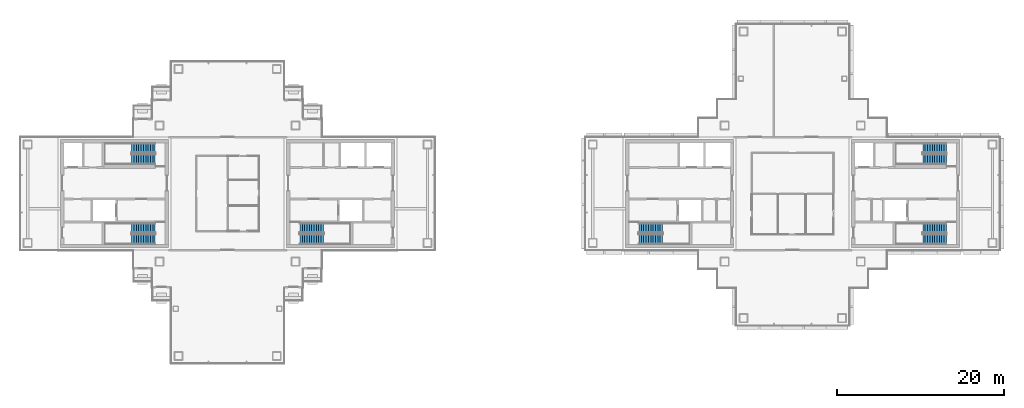
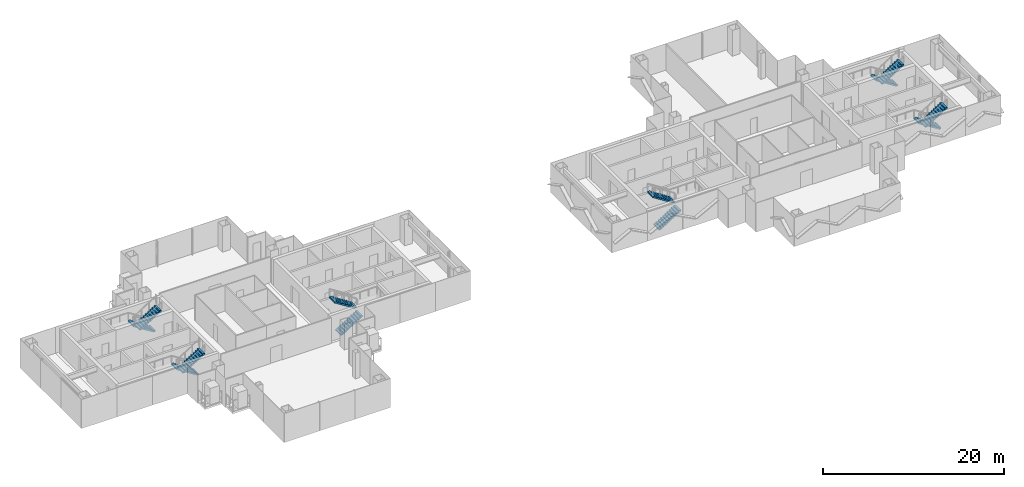
# One storey, part 13 of 17: 12 stair flights, 6 elements without a shape of their own.
"""IFC4 building model written with IfcOpenShell, lengths in metres."""

from ifc_helpers import new_model, si_unit, direction, frame, origin, place, context, subcontext, project, spatial, polyline, outline, extrude, material, type_object, element, aggregate, save


model = new_model("IFC4")

# Units and contexts
model_context = context("Model", 3, precision=1e-05, world=origin(), true_north=direction((0.0, 1.0)))
body_context = subcontext(model_context, "Body", "Model", "MODEL_VIEW")
ifc_project = project(units=[si_unit("LENGTHUNIT", "METRE"), si_unit("AREAUNIT", "SQUARE_METRE"), si_unit("VOLUMEUNIT", "CUBIC_METRE"), si_unit("PLANEANGLEUNIT", "RADIAN"), si_unit("MASSUNIT", "GRAM", prefix="KILO")], contexts=[model_context])

# Site, building, storey
site_placement = place(None, origin())
site = spatial("IfcSite", under=ifc_project, at=site_placement, CompositionType="ELEMENT")
building_placement = place(site_placement, origin())
building = spatial("IfcBuilding", under=site, at=building_placement, Name="Shamsa Quay Exchange Towers", CompositionType="ELEMENT")
storey_placement = place(building_placement, frame((0.0, 0.0, 221.699951171875)))
storey = spatial("IfcBuildingStorey", under=building, at=storey_placement, Name="L53", CompositionType="ELEMENT", Elevation=221.699951171875)

# Stair, stair flights
ifc_material = material(Name="Concrete C40/50", Category="concrete")
stair_type = type_object("IfcStairType", Name="EXIT STAIR 22 RISERS 177 MM", PredefinedType="HALF_TURN_STAIR", material=ifc_material)
stair_1_placement = place(storey_placement, origin())
stair_1 = element("IfcStair", 1, at=stair_1_placement, inside=storey, type_object=stair_type, Name="L53 Exit stair ST1", PredefinedType="HALF_TURN_STAIR")
stair_flight_type = type_object("IfcStairFlightType", Name="EXIT STAIR FLIGHT 11 RISERS 177 MM", PredefinedType="STRAIGHT", material=ifc_material)
stair_flight_1_placement = place(storey_placement, frame((-25.10009765625, -5.449951171875, 0.0)))
stair_flight_1 = element("IfcStairFlight", 2, at=stair_flight_1_placement, type_object=stair_flight_type, Name="ST1 flight 1", NumberOfRisers=11, NumberOfTreads=10, PredefinedType="STRAIGHT", RiserHeight=0.177272727, TreadLength=0.28, context=body_context, shape_type="SweptSolid", body=[
    extrude(outline(polyline([(0.0, 0.0), (0.0, 0.17724609375), (0.280029296875, 0.17724609375), (0.280029296875, 0.3544921875), (0.56005859375, 0.3544921875), (0.56005859375, 0.53173828125), (0.840087890625, 0.53173828125), (0.840087890625, 0.708984375), (1.1201171875, 0.708984375), (1.1201171875, 0.886474609375), (1.39990234375, 0.886474609375), (1.39990234375, 1.063720703125), (1.679931640625, 1.063720703125), (1.679931640625, 1.240966796875), (1.9599609375, 1.240966796875), (1.9599609375, 1.418212890625), (2.239990234375, 1.418212890625), (2.239990234375, 1.595458984375), (2.52001953125, 1.595458984375), (2.52001953125, 1.772705078125), (2.800048828125, 1.772705078125), (2.800048828125, 1.949951171875), (2.800048828125, 1.607177734375), (0.261474609375, 0.0), (0.0, 0.0)])), frame((0.0, 0.60009765625, 0.0), z_axis=(0.0, -1.0, 0.0), x_axis=(1.0, 0.0, 0.0)), (0.0, 0.0, 1.0), 1.199951171875),
])
stair_flight_2_placement = place(storey_placement, frame((-22.300048828125, -4.10009765625, 1.949951171875), z_axis=(0.0, 0.0, 1.0), x_axis=(-1.0, 0.0, 0.0)))
stair_flight_2 = element("IfcStairFlight", 3, at=stair_flight_2_placement, type_object=stair_flight_type, Name="ST1 flight 2", NumberOfRisers=11, NumberOfTreads=10, PredefinedType="STRAIGHT", RiserHeight=0.177272727, TreadLength=0.28, context=body_context, shape_type="SweptSolid", body=[
    extrude(outline(polyline([(0.0, 0.0), (0.0, 0.17724609375), (0.280029296875, 0.17724609375), (0.280029296875, 0.3544921875), (0.56005859375, 0.3544921875), (0.56005859375, 0.53173828125), (0.840087890625, 0.53173828125), (0.840087890625, 0.708984375), (1.1201171875, 0.708984375), (1.1201171875, 0.886474609375), (1.39990234375, 0.886474609375), (1.39990234375, 1.063720703125), (1.679931640625, 1.063720703125), (1.679931640625, 1.240966796875), (1.9599609375, 1.240966796875), (1.9599609375, 1.418212890625), (2.239990234375, 1.418212890625), (2.239990234375, 1.595458984375), (2.52001953125, 1.595458984375), (2.52001953125, 1.772705078125), (2.800048828125, 1.772705078125), (2.800048828125, 1.949951171875), (2.800048828125, 1.607177734375), (0.261474609375, 0.0), (0.0, 0.0)])), frame((0.0, 0.60009765625, 0.0), z_axis=(0.0, -1.0, 0.0), x_axis=(1.0, 0.0, 0.0)), (0.0, 0.0, 1.0), 1.199951171875),
])
aggregate(stair_1, [stair_flight_1, stair_flight_2])

stair_2_placement = place(storey_placement, origin())
stair_2 = element("IfcStair", 4, at=stair_2_placement, inside=storey, type_object=stair_type, Name="L53 Exit stair ST2", PredefinedType="HALF_TURN_STAIR")
stair_flight_3_placement = place(storey_placement, frame((-42.39990234375, -4.10009765625, 0.0), z_axis=(0.0, 0.0, 1.0), x_axis=(-1.0, 0.0, 0.0)))
stair_flight_3 = element("IfcStairFlight", 5, at=stair_flight_3_placement, type_object=stair_flight_type, Name="ST2 flight 1", NumberOfRisers=11, NumberOfTreads=10, PredefinedType="STRAIGHT", RiserHeight=0.177272727, TreadLength=0.28, context=body_context, shape_type="SweptSolid", body=[
    extrude(outline(polyline([(0.0, 0.0), (0.0, 0.17724609375), (0.280029296875, 0.17724609375), (0.280029296875, 0.3544921875), (0.56005859375, 0.3544921875), (0.56005859375, 0.53173828125), (0.840087890625, 0.53173828125), (0.840087890625, 0.708984375), (1.1201171875, 0.708984375), (1.1201171875, 0.886474609375), (1.39990234375, 0.886474609375), (1.39990234375, 1.063720703125), (1.679931640625, 1.063720703125), (1.679931640625, 1.240966796875), (1.9599609375, 1.240966796875), (1.9599609375, 1.418212890625), (2.239990234375, 1.418212890625), (2.239990234375, 1.595458984375), (2.52001953125, 1.595458984375), (2.52001953125, 1.772705078125), (2.800048828125, 1.772705078125), (2.800048828125, 1.949951171875), (2.800048828125, 1.607177734375), (0.261474609375, 0.0), (0.0, 0.0)])), frame((0.0, 0.60009765625, 0.0), z_axis=(0.0, -1.0, 0.0), x_axis=(1.0, 0.0, 0.0)), (0.0, 0.0, 1.0), 1.199951171875),
])
stair_flight_4_placement = place(storey_placement, frame((-45.199951171875, -5.449951171875, 1.949951171875)))
stair_flight_4 = element("IfcStairFlight", 6, at=stair_flight_4_placement, type_object=stair_flight_type, Name="ST2 flight 2", NumberOfRisers=11, NumberOfTreads=10, PredefinedType="STRAIGHT", RiserHeight=0.177272727, TreadLength=0.28, context=body_context, shape_type="SweptSolid", body=[
    extrude(outline(polyline([(0.0, 0.0), (0.0, 0.17724609375), (0.280029296875, 0.17724609375), (0.280029296875, 0.3544921875), (0.56005859375, 0.3544921875), (0.56005859375, 0.53173828125), (0.840087890625, 0.53173828125), (0.840087890625, 0.708984375), (1.1201171875, 0.708984375), (1.1201171875, 0.886474609375), (1.39990234375, 0.886474609375), (1.39990234375, 1.063720703125), (1.679931640625, 1.063720703125), (1.679931640625, 1.240966796875), (1.9599609375, 1.240966796875), (1.9599609375, 1.418212890625), (2.239990234375, 1.418212890625), (2.239990234375, 1.595458984375), (2.52001953125, 1.595458984375), (2.52001953125, 1.772705078125), (2.800048828125, 1.772705078125), (2.800048828125, 1.949951171875), (2.800048828125, 1.607177734375), (0.261474609375, 0.0), (0.0, 0.0)])), frame((0.0, 0.60009765625, 0.0), z_axis=(0.0, -1.0, 0.0), x_axis=(1.0, 0.0, 0.0)), (0.0, 0.0, 1.0), 1.199951171875),
])
aggregate(stair_2, [stair_flight_3, stair_flight_4])

stair_3_placement = place(storey_placement, origin())
stair_3 = element("IfcStair", 7, at=stair_3_placement, inside=storey, type_object=stair_type, Name="L53 Exit stair ST3", PredefinedType="HALF_TURN_STAIR")
stair_flight_5_placement = place(storey_placement, frame((-42.39990234375, 5.449951171875, 0.0), z_axis=(0.0, 0.0, 1.0), x_axis=(-1.0, 0.0, 0.0)))
stair_flight_5 = element("IfcStairFlight", 8, at=stair_flight_5_placement, type_object=stair_flight_type, Name="ST3 flight 1", NumberOfRisers=11, NumberOfTreads=10, PredefinedType="STRAIGHT", RiserHeight=0.177272727, TreadLength=0.28, context=body_context, shape_type="SweptSolid", body=[
    extrude(outline(polyline([(0.0, 0.0), (0.0, 0.17724609375), (0.280029296875, 0.17724609375), (0.280029296875, 0.3544921875), (0.56005859375, 0.3544921875), (0.56005859375, 0.53173828125), (0.840087890625, 0.53173828125), (0.840087890625, 0.708984375), (1.1201171875, 0.708984375), (1.1201171875, 0.886474609375), (1.39990234375, 0.886474609375), (1.39990234375, 1.063720703125), (1.679931640625, 1.063720703125), (1.679931640625, 1.240966796875), (1.9599609375, 1.240966796875), (1.9599609375, 1.418212890625), (2.239990234375, 1.418212890625), (2.239990234375, 1.595458984375), (2.52001953125, 1.595458984375), (2.52001953125, 1.772705078125), (2.800048828125, 1.772705078125), (2.800048828125, 1.949951171875), (2.800048828125, 1.607177734375), (0.261474609375, 0.0), (0.0, 0.0)])), frame((0.0, 0.60009765625, 0.0), z_axis=(0.0, -1.0, 0.0), x_axis=(1.0, 0.0, 0.0)), (0.0, 0.0, 1.0), 1.199951171875),
])
stair_flight_6_placement = place(storey_placement, frame((-45.199951171875, 4.10009765625, 1.949951171875)))
stair_flight_6 = element("IfcStairFlight", 9, at=stair_flight_6_placement, type_object=stair_flight_type, Name="ST3 flight 2", NumberOfRisers=11, NumberOfTreads=10, PredefinedType="STRAIGHT", RiserHeight=0.177272727, TreadLength=0.28, context=body_context, shape_type="SweptSolid", body=[
    extrude(outline(polyline([(0.0, 0.0), (0.0, 0.17724609375), (0.280029296875, 0.17724609375), (0.280029296875, 0.3544921875), (0.56005859375, 0.3544921875), (0.56005859375, 0.53173828125), (0.840087890625, 0.53173828125), (0.840087890625, 0.708984375), (1.1201171875, 0.708984375), (1.1201171875, 0.886474609375), (1.39990234375, 0.886474609375), (1.39990234375, 1.063720703125), (1.679931640625, 1.063720703125), (1.679931640625, 1.240966796875), (1.9599609375, 1.240966796875), (1.9599609375, 1.418212890625), (2.239990234375, 1.418212890625), (2.239990234375, 1.595458984375), (2.52001953125, 1.595458984375), (2.52001953125, 1.772705078125), (2.800048828125, 1.772705078125), (2.800048828125, 1.949951171875), (2.800048828125, 1.607177734375), (0.261474609375, 0.0), (0.0, 0.0)])), frame((0.0, 0.60009765625, 0.0), z_axis=(0.0, -1.0, 0.0), x_axis=(1.0, 0.0, 0.0)), (0.0, 0.0, 1.0), 1.199951171875),
])
aggregate(stair_3, [stair_flight_5, stair_flight_6])

stair_4_placement = place(storey_placement, origin())
stair_4 = element("IfcStair", 10, at=stair_4_placement, inside=storey, type_object=stair_type, Name="L53 Exit stair ST4", PredefinedType="HALF_TURN_STAIR")
stair_flight_7_placement = place(storey_placement, frame((15.39990234375, -5.449951171875, 0.0)))
stair_flight_7 = element("IfcStairFlight", 11, at=stair_flight_7_placement, type_object=stair_flight_type, Name="ST4 flight 1", NumberOfRisers=11, NumberOfTreads=10, PredefinedType="STRAIGHT", RiserHeight=0.177272727, TreadLength=0.28, context=body_context, shape_type="SweptSolid", body=[
    extrude(outline(polyline([(0.0, 0.0), (0.0, 0.17724609375), (0.280029296875, 0.17724609375), (0.280029296875, 0.3544921875), (0.56005859375, 0.3544921875), (0.56005859375, 0.53173828125), (0.840087890625, 0.53173828125), (0.840087890625, 0.708984375), (1.1201171875, 0.708984375), (1.1201171875, 0.886474609375), (1.39990234375, 0.886474609375), (1.39990234375, 1.063720703125), (1.679931640625, 1.063720703125), (1.679931640625, 1.240966796875), (1.9599609375, 1.240966796875), (1.9599609375, 1.418212890625), (2.239990234375, 1.418212890625), (2.239990234375, 1.595458984375), (2.52001953125, 1.595458984375), (2.52001953125, 1.772705078125), (2.800048828125, 1.772705078125), (2.800048828125, 1.949951171875), (2.800048828125, 1.607177734375), (0.261474609375, 0.0), (0.0, 0.0)])), frame((0.0, 0.60009765625, 0.0), z_axis=(0.0, -1.0, 0.0), x_axis=(1.0, 0.0, 0.0)), (0.0, 0.0, 1.0), 1.199951171875),
])
stair_flight_8_placement = place(storey_placement, frame((18.199951171875, -4.10009765625, 1.949951171875), z_axis=(0.0, 0.0, 1.0), x_axis=(-1.0, 0.0, 0.0)))
stair_flight_8 = element("IfcStairFlight", 12, at=stair_flight_8_placement, type_object=stair_flight_type, Name="ST4 flight 2", NumberOfRisers=11, NumberOfTreads=10, PredefinedType="STRAIGHT", RiserHeight=0.177272727, TreadLength=0.28, context=body_context, shape_type="SweptSolid", body=[
    extrude(outline(polyline([(0.0, 0.0), (0.0, 0.17724609375), (0.280029296875, 0.17724609375), (0.280029296875, 0.3544921875), (0.56005859375, 0.3544921875), (0.56005859375, 0.53173828125), (0.840087890625, 0.53173828125), (0.840087890625, 0.708984375), (1.1201171875, 0.708984375), (1.1201171875, 0.886474609375), (1.39990234375, 0.886474609375), (1.39990234375, 1.063720703125), (1.679931640625, 1.063720703125), (1.679931640625, 1.240966796875), (1.9599609375, 1.240966796875), (1.9599609375, 1.418212890625), (2.239990234375, 1.418212890625), (2.239990234375, 1.595458984375), (2.52001953125, 1.595458984375), (2.52001953125, 1.772705078125), (2.800048828125, 1.772705078125), (2.800048828125, 1.949951171875), (2.800048828125, 1.607177734375), (0.261474609375, 0.0), (0.0, 0.0)])), frame((0.0, 0.60009765625, 0.0), z_axis=(0.0, -1.0, 0.0), x_axis=(1.0, 0.0, 0.0)), (0.0, 0.0, 1.0), 1.199951171875),
])
aggregate(stair_4, [stair_flight_7, stair_flight_8])

stair_5_placement = place(storey_placement, origin())
stair_5 = element("IfcStair", 13, at=stair_5_placement, inside=storey, type_object=stair_type, Name="L53 Exit stair ST5", PredefinedType="HALF_TURN_STAIR")
stair_flight_9_placement = place(storey_placement, frame((52.10009765625, -4.10009765625, 0.0), z_axis=(0.0, 0.0, 1.0), x_axis=(-1.0, 0.0, 0.0)))
stair_flight_9 = element("IfcStairFlight", 14, at=stair_flight_9_placement, type_object=stair_flight_type, Name="ST5 flight 1", NumberOfRisers=11, NumberOfTreads=10, PredefinedType="STRAIGHT", RiserHeight=0.177272727, TreadLength=0.28, context=body_context, shape_type="SweptSolid", body=[
    extrude(outline(polyline([(0.0, 0.0), (0.0, 0.17724609375), (0.280029296875, 0.17724609375), (0.280029296875, 0.3544921875), (0.56005859375, 0.3544921875), (0.56005859375, 0.53173828125), (0.840087890625, 0.53173828125), (0.840087890625, 0.708984375), (1.1201171875, 0.708984375), (1.1201171875, 0.886474609375), (1.39990234375, 0.886474609375), (1.39990234375, 1.063720703125), (1.679931640625, 1.063720703125), (1.679931640625, 1.240966796875), (1.9599609375, 1.240966796875), (1.9599609375, 1.418212890625), (2.239990234375, 1.418212890625), (2.239990234375, 1.595458984375), (2.52001953125, 1.595458984375), (2.52001953125, 1.772705078125), (2.800048828125, 1.772705078125), (2.800048828125, 1.949951171875), (2.800048828125, 1.607177734375), (0.261474609375, 0.0), (0.0, 0.0)])), frame((0.0, 0.60009765625, 0.0), z_axis=(0.0, -1.0, 0.0), x_axis=(1.0, 0.0, 0.0)), (0.0, 0.0, 1.0), 1.199951171875),
])
stair_flight_10_placement = place(storey_placement, frame((49.300048828125, -5.449951171875, 1.949951171875)))
stair_flight_10 = element("IfcStairFlight", 15, at=stair_flight_10_placement, type_object=stair_flight_type, Name="ST5 flight 2", NumberOfRisers=11, NumberOfTreads=10, PredefinedType="STRAIGHT", RiserHeight=0.177272727, TreadLength=0.28, context=body_context, shape_type="SweptSolid", body=[
    extrude(outline(polyline([(0.0, 0.0), (0.0, 0.17724609375), (0.280029296875, 0.17724609375), (0.280029296875, 0.3544921875), (0.56005859375, 0.3544921875), (0.56005859375, 0.53173828125), (0.840087890625, 0.53173828125), (0.840087890625, 0.708984375), (1.1201171875, 0.708984375), (1.1201171875, 0.886474609375), (1.39990234375, 0.886474609375), (1.39990234375, 1.063720703125), (1.679931640625, 1.063720703125), (1.679931640625, 1.240966796875), (1.9599609375, 1.240966796875), (1.9599609375, 1.418212890625), (2.239990234375, 1.418212890625), (2.239990234375, 1.595458984375), (2.52001953125, 1.595458984375), (2.52001953125, 1.772705078125), (2.800048828125, 1.772705078125), (2.800048828125, 1.949951171875), (2.800048828125, 1.607177734375), (0.261474609375, 0.0), (0.0, 0.0)])), frame((0.0, 0.60009765625, 0.0), z_axis=(0.0, -1.0, 0.0), x_axis=(1.0, 0.0, 0.0)), (0.0, 0.0, 1.0), 1.199951171875),
])
aggregate(stair_5, [stair_flight_9, stair_flight_10])

stair_6_placement = place(storey_placement, origin())
stair_6 = element("IfcStair", 16, at=stair_6_placement, inside=storey, type_object=stair_type, Name="L53 Exit stair ST6", PredefinedType="HALF_TURN_STAIR")
stair_flight_11_placement = place(storey_placement, frame((52.10009765625, 5.449951171875, 0.0), z_axis=(0.0, 0.0, 1.0), x_axis=(-1.0, 0.0, 0.0)))
stair_flight_11 = element("IfcStairFlight", 17, at=stair_flight_11_placement, type_object=stair_flight_type, Name="ST6 flight 1", NumberOfRisers=11, NumberOfTreads=10, PredefinedType="STRAIGHT", RiserHeight=0.177272727, TreadLength=0.28, context=body_context, shape_type="SweptSolid", body=[
    extrude(outline(polyline([(0.0, 0.0), (0.0, 0.17724609375), (0.280029296875, 0.17724609375), (0.280029296875, 0.3544921875), (0.56005859375, 0.3544921875), (0.56005859375, 0.53173828125), (0.840087890625, 0.53173828125), (0.840087890625, 0.708984375), (1.1201171875, 0.708984375), (1.1201171875, 0.886474609375), (1.39990234375, 0.886474609375), (1.39990234375, 1.063720703125), (1.679931640625, 1.063720703125), (1.679931640625, 1.240966796875), (1.9599609375, 1.240966796875), (1.9599609375, 1.418212890625), (2.239990234375, 1.418212890625), (2.239990234375, 1.595458984375), (2.52001953125, 1.595458984375), (2.52001953125, 1.772705078125), (2.800048828125, 1.772705078125), (2.800048828125, 1.949951171875), (2.800048828125, 1.607177734375), (0.261474609375, 0.0), (0.0, 0.0)])), frame((0.0, 0.60009765625, 0.0), z_axis=(0.0, -1.0, 0.0), x_axis=(1.0, 0.0, 0.0)), (0.0, 0.0, 1.0), 1.199951171875),
])
stair_flight_12_placement = place(storey_placement, frame((49.300048828125, 4.10009765625, 1.949951171875)))
stair_flight_12 = element("IfcStairFlight", 18, at=stair_flight_12_placement, type_object=stair_flight_type, Name="ST6 flight 2", NumberOfRisers=11, NumberOfTreads=10, PredefinedType="STRAIGHT", RiserHeight=0.177272727, TreadLength=0.28, context=body_context, shape_type="SweptSolid", body=[
    extrude(outline(polyline([(0.0, 0.0), (0.0, 0.17724609375), (0.280029296875, 0.17724609375), (0.280029296875, 0.3544921875), (0.56005859375, 0.3544921875), (0.56005859375, 0.53173828125), (0.840087890625, 0.53173828125), (0.840087890625, 0.708984375), (1.1201171875, 0.708984375), (1.1201171875, 0.886474609375), (1.39990234375, 0.886474609375), (1.39990234375, 1.063720703125), (1.679931640625, 1.063720703125), (1.679931640625, 1.240966796875), (1.9599609375, 1.240966796875), (1.9599609375, 1.418212890625), (2.239990234375, 1.418212890625), (2.239990234375, 1.595458984375), (2.52001953125, 1.595458984375), (2.52001953125, 1.772705078125), (2.800048828125, 1.772705078125), (2.800048828125, 1.949951171875), (2.800048828125, 1.607177734375), (0.261474609375, 0.0), (0.0, 0.0)])), frame((0.0, 0.60009765625, 0.0), z_axis=(0.0, -1.0, 0.0), x_axis=(1.0, 0.0, 0.0)), (0.0, 0.0, 1.0), 1.199951171875),
])
aggregate(stair_6, [stair_flight_11, stair_flight_12])

save(model, "model.ifc")
